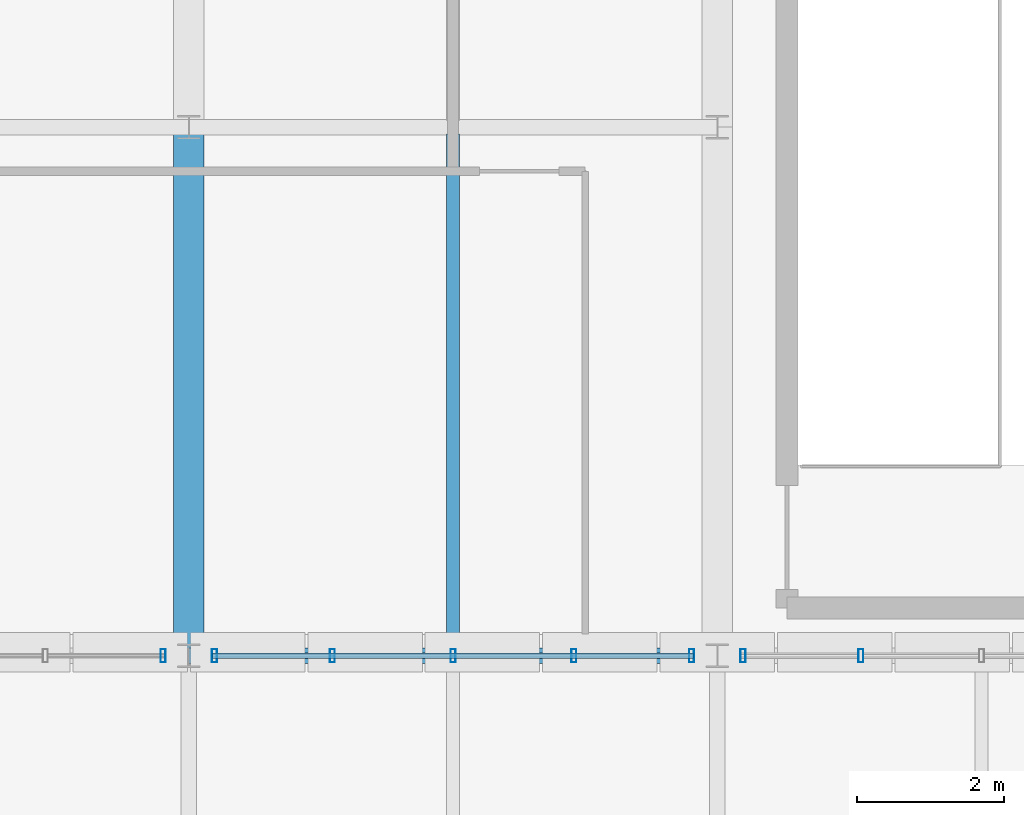
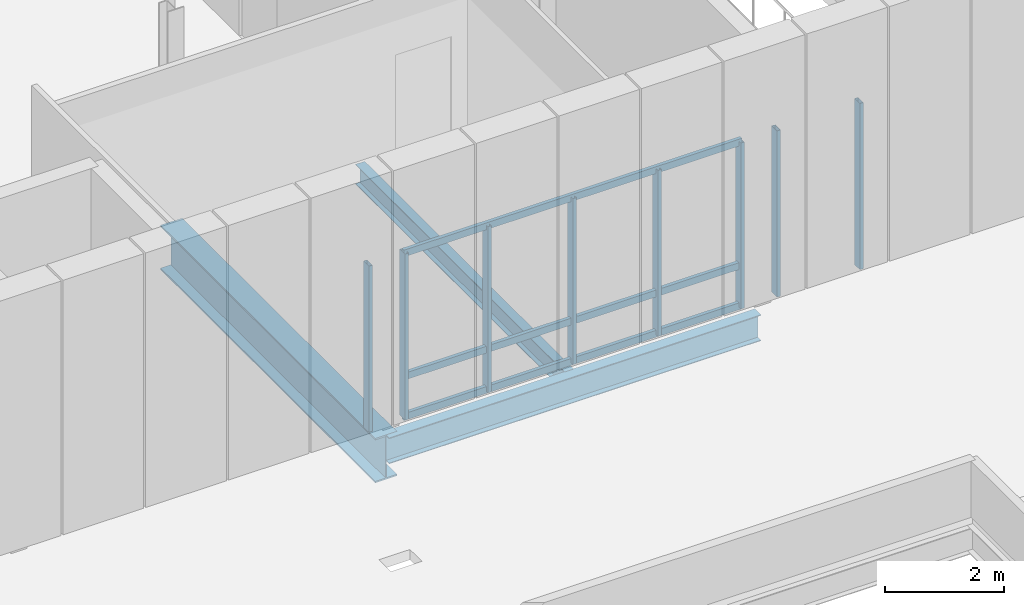
# One storey, part 8 of 47: 11 members, 3 beams, 3 elements without a shape of their own.
"""IFC4 building model written with IfcOpenShell, lengths in metres."""

from ifc_helpers import new_model, si_unit, direction, frame, origin, origin_2d, place, context, subcontext, project, spatial, hollow_rectangle, i_section, extrude, material, material_profile, profile_set, type_object, element, aggregate, save


model = new_model("IFC4")

# Units and contexts
model_context = context("Model", 3, precision=1e-05, world=origin(), true_north=direction((0.0, 1.0)))
body_context = subcontext(model_context, "Body", "Model", "MODEL_VIEW")
ifc_project = project(units=[si_unit("LENGTHUNIT", "METRE"), si_unit("AREAUNIT", "SQUARE_METRE"), si_unit("VOLUMEUNIT", "CUBIC_METRE"), si_unit("PLANEANGLEUNIT", "RADIAN"), si_unit("MASSUNIT", "GRAM", prefix="KILO")], contexts=[model_context])

# Site, building, storey
site_placement = place(None, origin())
site = spatial("IfcSite", under=ifc_project, at=site_placement, CompositionType="ELEMENT")
building_placement = place(site_placement, origin())
building = spatial("IfcBuilding", under=site, at=building_placement, Name="Yarey Park Central Fire Station", CompositionType="ELEMENT")
storey_placement = place(building_placement, frame((0.0, 0.0, 18.0)))
storey = spatial("IfcBuildingStorey", under=building, at=storey_placement, Name="L05", CompositionType="ELEMENT", Elevation=18.0)

# Curtain wall, member
ifc_material_1 = material(Name="Anodized Aluminium Frame", Category="aluminium")
curtain_wall_type = type_object("IfcCurtainWallType", Name="ENV_CW_V3_PAV", PredefinedType="NOTDEFINED", material=ifc_material_1)
curtain_wall_1_placement = place(storey_placement, origin())
curtain_wall_1 = element("IfcCurtainWall", 1, at=curtain_wall_1_placement, inside=storey, type_object=curtain_wall_type, Name="CW_L05_V3_S_080", PredefinedType="NOTDEFINED")
ifc_material_profile_1 = material_profile(ifc_material_1, hollow_rectangle(XDim=0.070068359375, YDim=0.179931640625, WallThickness=0.00390625, at=origin_2d()), Name="ALU 180x70x4")
ifc_profile_set_1 = profile_set([ifc_material_profile_1], Name="Anodized Aluminium Frame")
member_type_1 = type_object("IfcMemberType", Name="ENV_CW_MULLION", PredefinedType="MULLION", material=ifc_profile_set_1)
member_1_placement = place(storey_placement, frame((42.85009765625, 57.60009765625, 0.0), z_axis=(0.0, 0.0, 1.0), x_axis=(1.0, 0.0, 0.0)))
member_1 = element("IfcMember", 2, at=member_1_placement, type_object=member_type_1, Name="CW_L05_V3_S_080_MUL5", PredefinedType="MULLION", context=body_context, shape_type="SweptSolid", body=[
    extrude(hollow_rectangle(XDim=0.070068359375, YDim=0.179931640625, WallThickness=0.00390625, at=origin_2d()), origin(), (0.0, 0.0, 1.0), 3.39990234375),
])
aggregate(curtain_wall_1, [member_1])

# Curtain wall, members
curtain_wall_2_placement = place(storey_placement, origin())
curtain_wall_2 = element("IfcCurtainWall", 3, at=curtain_wall_2_placement, inside=storey, type_object=curtain_wall_type, Name="CW_L05_V3_S_081", PredefinedType="NOTDEFINED")
member_2_placement = place(storey_placement, frame((43.550048828125, 57.60009765625, 0.0), z_axis=(0.0, 0.0, 1.0), x_axis=(1.0, 0.0, 0.0)))
member_2 = element("IfcMember", 4, at=member_2_placement, type_object=member_type_1, Name="CW_L05_V3_S_081_MUL1", PredefinedType="MULLION", context=body_context, shape_type="SweptSolid", body=[
    extrude(hollow_rectangle(XDim=0.070068359375, YDim=0.179931640625, WallThickness=0.00390625, at=origin_2d()), origin(), (0.0, 0.0, 1.0), 3.39990234375),
])
member_3_placement = place(storey_placement, frame((45.155029296875, 57.60009765625, 0.0), z_axis=(0.0, 0.0, 1.0), x_axis=(1.0, 0.0, 0.0)))
member_3 = element("IfcMember", 5, at=member_3_placement, type_object=member_type_1, Name="CW_L05_V3_S_081_MUL2", PredefinedType="MULLION", context=body_context, shape_type="SweptSolid", body=[
    extrude(hollow_rectangle(XDim=0.070068359375, YDim=0.179931640625, WallThickness=0.00390625, at=origin_2d()), origin(), (0.0, 0.0, 1.0), 3.39990234375),
])
member_4_placement = place(storey_placement, frame((46.800048828125, 57.60009765625, 0.0), z_axis=(0.0, 0.0, 1.0), x_axis=(1.0, 0.0, 0.0)))
member_4 = element("IfcMember", 6, at=member_4_placement, type_object=member_type_1, Name="CW_L05_V3_S_081_MUL3", PredefinedType="MULLION", context=body_context, shape_type="SweptSolid", body=[
    extrude(hollow_rectangle(XDim=0.070068359375, YDim=0.179931640625, WallThickness=0.00390625, at=origin_2d()), origin(), (0.0, 0.0, 1.0), 3.39990234375),
])
member_5_placement = place(storey_placement, frame((48.445068359375, 57.60009765625, 0.0), z_axis=(0.0, 0.0, 1.0), x_axis=(1.0, 0.0, 0.0)))
member_5 = element("IfcMember", 7, at=member_5_placement, type_object=member_type_1, Name="CW_L05_V3_S_081_MUL4", PredefinedType="MULLION", context=body_context, shape_type="SweptSolid", body=[
    extrude(hollow_rectangle(XDim=0.070068359375, YDim=0.179931640625, WallThickness=0.00390625, at=origin_2d()), origin(), (0.0, 0.0, 1.0), 3.39990234375),
])
member_6_placement = place(storey_placement, frame((50.050048828125, 57.60009765625, 0.0), z_axis=(0.0, 0.0, 1.0), x_axis=(1.0, 0.0, 0.0)))
member_6 = element("IfcMember", 8, at=member_6_placement, type_object=member_type_1, Name="CW_L05_V3_S_081_MUL5", PredefinedType="MULLION", context=body_context, shape_type="SweptSolid", body=[
    extrude(hollow_rectangle(XDim=0.070068359375, YDim=0.179931640625, WallThickness=0.00390625, at=origin_2d()), origin(), (0.0, 0.0, 1.0), 3.39990234375),
])

curtain_wall_3_placement = place(storey_placement, origin())
curtain_wall_3 = element("IfcCurtainWall", 9, at=curtain_wall_3_placement, inside=storey, type_object=curtain_wall_type, Name="CW_L05_V3_S_082", PredefinedType="NOTDEFINED")
member_7_placement = place(storey_placement, frame((50.75, 57.60009765625, 0.0), z_axis=(0.0, 0.0, 1.0), x_axis=(1.0, 0.0, 0.0)))
member_7 = element("IfcMember", 10, at=member_7_placement, type_object=member_type_1, Name="CW_L05_V3_S_082_MUL1", PredefinedType="MULLION", context=body_context, shape_type="SweptSolid", body=[
    extrude(hollow_rectangle(XDim=0.070068359375, YDim=0.179931640625, WallThickness=0.00390625, at=origin_2d()), origin(), (0.0, 0.0, 1.0), 3.39990234375),
])
member_8_placement = place(storey_placement, frame((52.35498046875, 57.60009765625, 0.0), z_axis=(0.0, 0.0, 1.0), x_axis=(1.0, 0.0, 0.0)))
member_8 = element("IfcMember", 11, at=member_8_placement, type_object=member_type_1, Name="CW_L05_V3_S_082_MUL2", PredefinedType="MULLION", context=body_context, shape_type="SweptSolid", body=[
    extrude(hollow_rectangle(XDim=0.070068359375, YDim=0.179931640625, WallThickness=0.00390625, at=origin_2d()), origin(), (0.0, 0.0, 1.0), 3.39990234375),
])
aggregate(curtain_wall_3, [member_7, member_8])

# Member
ifc_material_profile_2 = material_profile(ifc_material_1, hollow_rectangle(XDim=0.070068359375, YDim=0.139892578125, WallThickness=0.00390625, at=origin_2d()), Name="ALU 140x70x4")
ifc_profile_set_2 = profile_set([ifc_material_profile_2], Name="Anodized Aluminium Frame")
member_type_2 = type_object("IfcMemberType", Name="ENV_CW_TRANSOM", PredefinedType="USERDEFINED", material=ifc_profile_set_2)
member_9_placement = place(storey_placement, frame((43.52490234375, 57.60009765625, 0.02490234375), z_axis=(1.0, 0.0, 0.0), x_axis=(0.0, 1.0, 0.0)))
member_9 = element("IfcMember", 12, at=member_9_placement, type_object=member_type_2, Name="CW_L05_V3_S_081_TRN1", ObjectType="TRANSOM", PredefinedType="USERDEFINED", context=body_context, shape_type="SweptSolid", body=[
    extrude(hollow_rectangle(XDim=0.070068359375, YDim=0.139892578125, WallThickness=0.00390625, at=origin_2d()), origin(), (0.0, 0.0, 1.0), 6.550048828125),
])

member_10_placement = place(storey_placement, frame((43.52490234375, 57.60009765625, 0.85009765625), z_axis=(1.0, 0.0, 0.0), x_axis=(0.0, 1.0, 0.0)))
member_10 = element("IfcMember", 13, at=member_10_placement, type_object=member_type_2, Name="CW_L05_V3_S_081_TRN2", ObjectType="TRANSOM", PredefinedType="USERDEFINED", context=body_context, shape_type="SweptSolid", body=[
    extrude(hollow_rectangle(XDim=0.070068359375, YDim=0.139892578125, WallThickness=0.00390625, at=origin_2d()), origin(), (0.0, 0.0, 1.0), 6.550048828125),
])

member_11_placement = place(storey_placement, frame((43.52490234375, 57.60009765625, 3.375), z_axis=(1.0, 0.0, 0.0), x_axis=(0.0, 1.0, 0.0)))
member_11 = element("IfcMember", 14, at=member_11_placement, type_object=member_type_2, Name="CW_L05_V3_S_081_TRN3", ObjectType="TRANSOM", PredefinedType="USERDEFINED", context=body_context, shape_type="SweptSolid", body=[
    extrude(hollow_rectangle(XDim=0.070068359375, YDim=0.139892578125, WallThickness=0.00390625, at=origin_2d()), origin(), (0.0, 0.0, 1.0), 6.550048828125),
])

aggregate(curtain_wall_2, [member_2, member_3, member_4, member_5, member_6, member_9, member_10, member_11])

# Beams
ifc_material_2 = material(Name="Steel ASTM A992 Gr. 50", Category="steel")
ifc_material_profile_3 = material_profile(ifc_material_2, i_section(OverallWidth=0.208984375, OverallDepth=0.532958984375, WebThickness=0.01025390625, FlangeThickness=0.015625, at=origin_2d()), Name="W530x92")
ifc_profile_set_3 = profile_set([ifc_material_profile_3], Name="Steel ASTM A992 Gr. 50")
beam_type_1 = type_object("IfcBeamType", Name="STR_BM_W530", PredefinedType="BEAM", material=ifc_profile_set_3)
beam_1_placement = place(storey_placement, frame((43.199951171875, 57.60009765625, -0.506591796875), z_axis=(1.0, 0.0, 0.0), x_axis=(0.0, 1.0, 0.0)))
element("IfcBeam", 15, at=beam_1_placement, inside=storey, type_object=beam_type_1, Name="BMX L05 Y576 X432", PredefinedType="BEAM", context=body_context, shape_type="SweptSolid", body=[
    extrude(i_section(OverallWidth=0.208984375, OverallDepth=0.532958984375, WebThickness=0.01025390625, FlangeThickness=0.015625, at=origin_2d()), origin(), (0.0, 0.0, 1.0), 7.199951171875),
])
ifc_material_profile_4 = material_profile(ifc_material_2, i_section(OverallWidth=0.41796875, OverallDepth=0.912109375, WebThickness=0.019287109375, FlangeThickness=0.031982421875, at=origin_2d()), Name="W920x342")
ifc_profile_set_4 = profile_set([ifc_material_profile_4], Name="Steel ASTM A992 Gr. 50")
beam_type_2 = type_object("IfcBeamType", Name="STR_BM_W920", PredefinedType="BEAM", material=ifc_profile_set_4)
beam_2_placement = place(storey_placement, frame((43.199951171875, 57.60009765625, -0.696044921875), z_axis=(0.0, 1.0, 0.0), x_axis=(-1.0, 0.0, 0.0)))
element("IfcBeam", 16, at=beam_2_placement, inside=storey, type_object=beam_type_2, Name="Transfer Truss TT3 L05 CH1", PredefinedType="BEAM", context=body_context, shape_type="SweptSolid", body=[
    extrude(i_section(OverallWidth=0.41796875, OverallDepth=0.912109375, WebThickness=0.019287109375, FlangeThickness=0.031982421875, at=origin_2d()), origin(), (0.0, 0.0, 1.0), 7.199951171875),
])
ifc_material_profile_5 = material_profile(ifc_material_2, i_section(OverallWidth=0.177978515625, OverallDepth=0.406982421875, WebThickness=0.0078125, FlangeThickness=0.0126953125, at=origin_2d()), Name="W410x60")
ifc_profile_set_5 = profile_set([ifc_material_profile_5], Name="Steel ASTM A992 Gr. 50")
beam_type_3 = type_object("IfcBeamType", Name="STR_JST_W410", PredefinedType="JOIST", material=ifc_profile_set_5)
beam_3_placement = place(storey_placement, frame((46.800048828125, 57.695068359375, -0.443603515625), z_axis=(0.0, 1.0, 0.0), x_axis=(-1.0, 0.0, 0.0)))
element("IfcBeam", 17, at=beam_3_placement, inside=storey, type_object=beam_type_3, Name="JST L05 X468 Y576", PredefinedType="JOIST", context=body_context, shape_type="SweptSolid", body=[
    extrude(i_section(OverallWidth=0.177978515625, OverallDepth=0.406982421875, WebThickness=0.0078125, FlangeThickness=0.0126953125, at=origin_2d()), origin(), (0.0, 0.0, 1.0), 7.010009765625),
])

save(model, "model.ifc")
